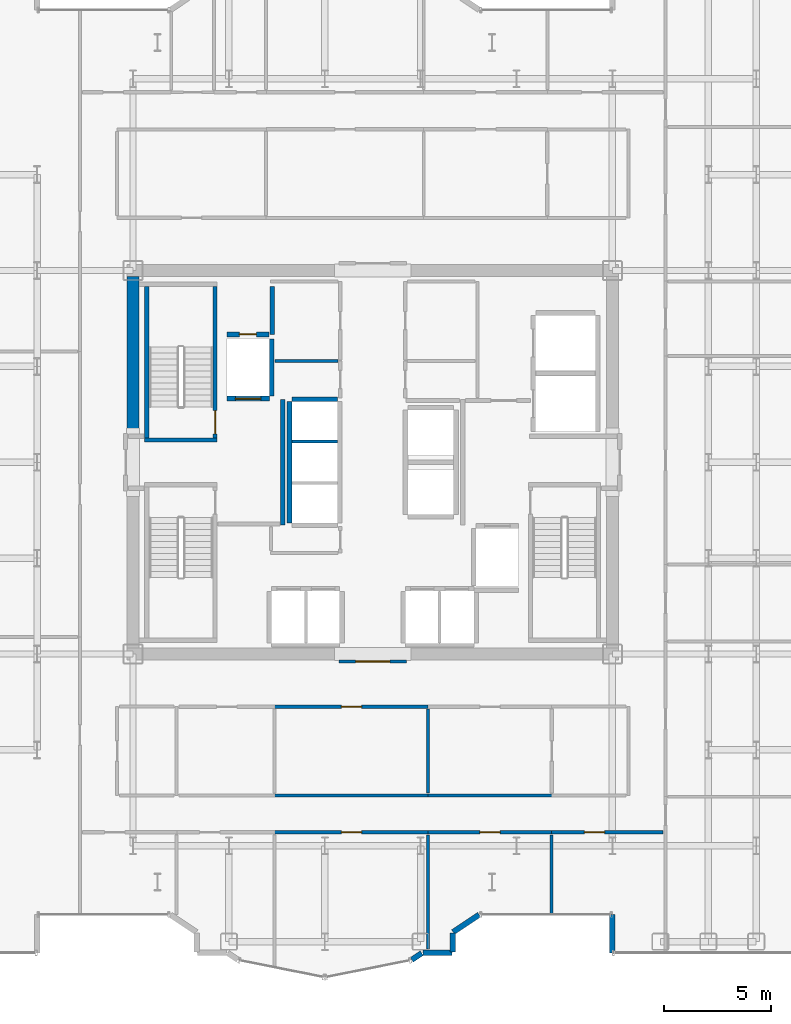
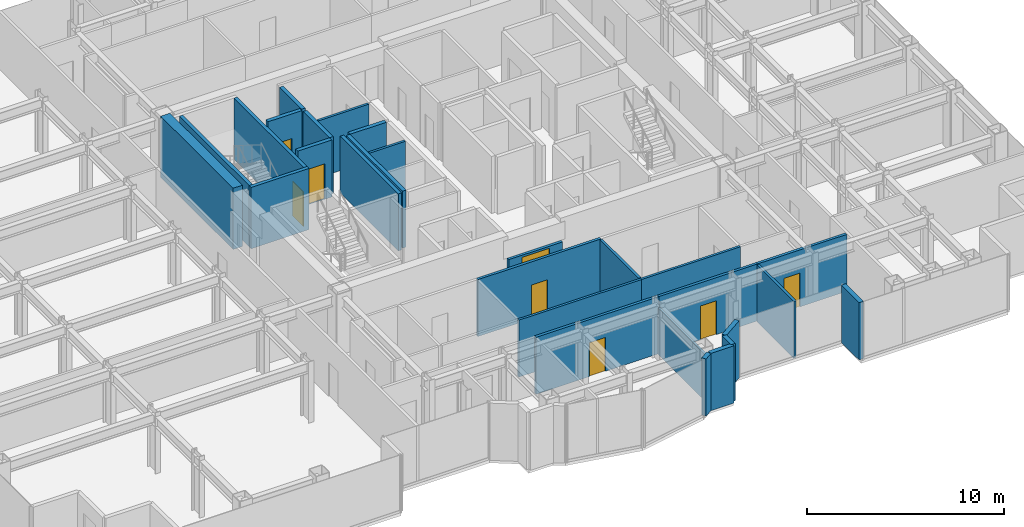
# One storey, part 18 of 23: 28 walls, 8 doors, 8 openings.
"""IFC4 building model written with IfcOpenShell, lengths in metres."""

import ifcopenshell
import ifcopenshell.guid

model = None  # the IFC model being written
_history = None  # IfcOwnerHistory: only IFC2X3 demands one
_inside = {}  # id of a spatial element -> (the spatial element, [elements in it])
_under = {}  # id of a project, library or spatial element -> (it, [spatial elements below it])
_declared = {}  # id of a project -> (the project, [libraries it declares])
_typed = {}  # id of a type object -> (the type object, [elements of that type])
_made_of = {}  # id of a material, layer set ... -> (it, [elements and type objects made of it])


def new_model(schema):
    """Start an empty IFC model of exactly this schema.

    Asked for "IFC4X3", IfcOpenShell would pick the latest addendum, in which some entities
    have other attributes; the version numbers below select the first issue.
    IFC2X3 requires an IfcOwnerHistory on every rooted entity: one is made here for all.
    """
    global model, _history
    if schema == "IFC4X3":
        model = ifcopenshell.file(schema_version=(4, 3, 0, 0))
    else:
        model = ifcopenshell.file(schema=schema)
    _inside.clear()
    _under.clear()
    _declared.clear()
    _typed.clear()
    _made_of.clear()
    _history = None
    if model.schema == "IFC2X3":
        org = make("IfcOrganization", Name="unknown")
        user = make(
            "IfcPersonAndOrganization",
            ThePerson=make("IfcPerson", FamilyName="unknown"),
            TheOrganization=org,
        )
        app = make(
            "IfcApplication",
            ApplicationDeveloper=org,
            Version="unknown",
            ApplicationFullName="unknown",
            ApplicationIdentifier="unknown",
        )
        _history = make(
            "IfcOwnerHistory",
            OwningUser=user,
            OwningApplication=app,
            ChangeAction="ADDED",
            CreationDate=0,
        )
    return model


def make(cls, **values):
    """One entity of the class cls with the attributes given. An attribute that is None is left unset."""
    return model.create_entity(
        cls, **{name: value for name, value in values.items() if value is not None}
    )


def rooted(cls, **values):
    """An entity with a GlobalId (a new one), such as an element, a storey or a relation."""
    return make(cls, GlobalId=ifcopenshell.guid.new(), OwnerHistory=_history, **values)


def si_unit(unit_type, name, prefix=None):
    """IfcSIUnit, for example si_unit("LENGTHUNIT", "METRE", prefix="MILLI")."""
    return make("IfcSIUnit", UnitType=unit_type, Prefix=prefix, Name=name)


def assignment(units):
    """IfcUnitAssignment: the units of a project."""
    return None if units is None else make("IfcUnitAssignment", Units=units)


def point(xyz):
    """IfcCartesianPoint."""
    return None if xyz is None else make("IfcCartesianPoint", Coordinates=xyz)


def direction(xyz):
    """IfcDirection."""
    return None if xyz is None else make("IfcDirection", DirectionRatios=xyz)


def frame(location, z_axis=None, x_axis=None):
    """IfcAxis2Placement3D, a coordinate frame: its origin and axes. An axis left out is left unset."""
    return make(
        "IfcAxis2Placement3D",
        Location=point(location),
        Axis=direction(z_axis),
        RefDirection=direction(x_axis),
    )


def frame_2d(location, x_axis=None):
    """IfcAxis2Placement2D, a coordinate frame in the plane: its origin and x axis."""
    return make(
        "IfcAxis2Placement2D", Location=point(location), RefDirection=direction(x_axis)
    )


def origin():
    """The frame at (0, 0, 0) with its axes left unset."""
    return frame((0.0, 0.0, 0.0))


def place(relative_to, where):
    """IfcLocalPlacement: puts the frame where relative to a parent placement (None: the world)."""
    return make(
        "IfcLocalPlacement", PlacementRelTo=relative_to, RelativePlacement=where
    )


def context(
    kind, dimensions, precision=None, world=None, true_north=None, identifier=None
):
    """IfcGeometricRepresentationContext, for example the 3D "Model" context."""
    return make(
        "IfcGeometricRepresentationContext",
        ContextIdentifier=identifier,
        ContextType=kind,
        CoordinateSpaceDimension=dimensions,
        Precision=precision,
        WorldCoordinateSystem=world,
        TrueNorth=true_north,
    )


def subcontext(parent, identifier, kind, view, scale=None):
    """IfcGeometricRepresentationSubContext, for example "Body" below "Model"."""
    return make(
        "IfcGeometricRepresentationSubContext",
        ContextIdentifier=identifier,
        ContextType=kind,
        ParentContext=parent,
        TargetScale=scale,
        TargetView=view,
    )


def project(units=None, contexts=None):
    """IfcProject with its units and contexts."""
    return rooted(
        "IfcProject",
        Name="project",
        RepresentationContexts=contexts,
        UnitsInContext=assignment(units),
    )


def spatial(cls, under=None, at=None, **own):
    """A site, building, storey or space (cls), placed at a placement, below another one or the project."""
    s = rooted(cls, ObjectPlacement=at, **own)
    if under is not None:
        _under.setdefault(under.id(), (under, []))[1].append(s)
    return s


def profile(cls, at=None, kind="AREA", **sizes):
    """A parametric profile (cls). Its sizes go by their IFC names, for example OverallWidth=200.0."""
    return make(cls, ProfileType=kind, Position=at, **sizes)


def rectangle(**sizes):
    """IfcRectangleProfileDef."""
    return profile("IfcRectangleProfileDef", **sizes)


def extrude(swept, where, along, depth):
    """IfcExtrudedAreaSolid: the profile swept, set in the frame where, extruded along a direction by depth."""
    return make(
        "IfcExtrudedAreaSolid",
        SweptArea=swept,
        Position=where,
        ExtrudedDirection=direction(along),
        Depth=depth,
    )


def shape(context_of_items, identifier, shape_type, items):
    """IfcShapeRepresentation: the items that make up one representation, for example the "Body"."""
    return make(
        "IfcShapeRepresentation",
        ContextOfItems=context_of_items,
        RepresentationIdentifier=identifier,
        RepresentationType=shape_type,
        Items=items,
    )


def source(mapping_origin, context_of_items, identifier, shape_type, items):
    """IfcRepresentationMap: a shape defined once, which mapped items show again and again."""
    return make(
        "IfcRepresentationMap",
        MappingOrigin=mapping_origin,
        MappedRepresentation=shape(context_of_items, identifier, shape_type, items),
    )


def transform(
    local_origin,
    x_axis=None,
    y_axis=None,
    z_axis=None,
    scale=None,
    scale2=None,
    scale3=None,
    uniform=True,
):
    """IfcCartesianTransformationOperator3D, or its non-uniform kind. x_axis, y_axis, z_axis: its Axis1, 2, 3."""
    if uniform:
        return make(
            "IfcCartesianTransformationOperator3D",
            Axis1=direction(x_axis),
            Axis2=direction(y_axis),
            LocalOrigin=point(local_origin),
            Scale=scale,
            Axis3=direction(z_axis),
        )
    return make(
        "IfcCartesianTransformationOperator3DnonUniform",
        Axis1=direction(x_axis),
        Axis2=direction(y_axis),
        LocalOrigin=point(local_origin),
        Scale=scale,
        Axis3=direction(z_axis),
        Scale2=scale2,
        Scale3=scale3,
    )


def mapped(mapping_source, mapping_target):
    """IfcMappedItem: shows the shape of a source again, moved by a transform."""
    return make(
        "IfcMappedItem", MappingSource=mapping_source, MappingTarget=mapping_target
    )


def material(Name=None, Category=None):
    """IfcMaterial."""
    return make("IfcMaterial", Name=Name, Category=Category)


def layer(
    of_material, thickness, ventilated=None, Name=None, Category=None, Priority=None
):
    """IfcMaterialLayer: one layer of a wall or slab, of a material (None: an air gap)."""
    return make(
        "IfcMaterialLayer",
        Material=of_material,
        LayerThickness=thickness,
        IsVentilated=ventilated,
        Name=Name,
        Category=Category,
        Priority=Priority,
    )


def layer_set(layers, Name=None):
    """IfcMaterialLayerSet."""
    return make("IfcMaterialLayerSet", MaterialLayers=layers, LayerSetName=Name)


def made_of(thing, what):
    """Note that an element or type object is made of a material, layer set ...; save() writes the relation."""
    if what is not None:
        _made_of.setdefault(what.id(), (what, []))[1].append(thing)
    return thing


def type_object(cls, material=None, **own):
    """A type object (cls), such as IfcWallType, which elements share."""
    return made_of(rooted(cls, **own), material)


def element(
    cls,
    number,
    at=None,
    inside=None,
    cuts=None,
    type_object=None,
    material=None,
    context=None,
    identifier="Body",
    shape_type=None,
    held_by="IfcProductDefinitionShape",
    body=None,
    shapes=None,
    **own,
):
    """One element of the class cls, such as IfcWall. Its Tag is "e" and its number.

    at: its placement. inside: the storey or other place that contains it. cuts: it is an
    opening in that element (IfcRelVoidsElement). A single representation is given by context,
    identifier, shape_type and body (its items); several are given by shapes. held_by: the class
    of the entity that holds the representations. save() writes the other relations.
    """
    e = rooted(cls, Tag="e%d" % number, ObjectPlacement=at, **own)
    if body is not None:
        shapes = [shape(context, identifier, shape_type, body)]
    if shapes is not None:
        e.Representation = make(held_by, Representations=shapes)
    if inside is not None:
        _inside.setdefault(inside.id(), (inside, []))[1].append(e)
    if cuts is not None:
        rooted(
            "IfcRelVoidsElement", RelatingBuildingElement=cuts, RelatedOpeningElement=e
        )
    if type_object is not None:
        _typed.setdefault(type_object.id(), (type_object, []))[1].append(e)
    return made_of(e, material)


def fill(opening, filler):
    """IfcRelFillsElement: the door or window that sits in an opening."""
    return rooted(
        "IfcRelFillsElement",
        RelatingOpeningElement=opening,
        RelatedBuildingElement=filler,
    )


def aggregate(whole, parts):
    """IfcRelAggregates: a whole, such as a stair, and the parts it consists of."""
    return rooted("IfcRelAggregates", RelatingObject=whole, RelatedObjects=parts)


def save(model, path):
    """Write the relations noted so far, then the file.

    IfcRelAggregates (storeys below a building ...), IfcRelContainedInSpatialStructure (elements
    in a storey), IfcRelDefinesByType, IfcRelAssociatesMaterial and IfcRelDeclares: one each for
    every whole, place, type object, material and project.
    """
    for whole, parts in _under.values():
        aggregate(whole, parts)
    for where, things in _inside.values():
        rooted(
            "IfcRelContainedInSpatialStructure",
            RelatedElements=things,
            RelatingStructure=where,
        )
    for kind, things in _typed.values():
        rooted("IfcRelDefinesByType", RelatedObjects=things, RelatingType=kind)
    for what, things in _made_of.values():
        rooted("IfcRelAssociatesMaterial", RelatedObjects=things, RelatingMaterial=what)
    for by, libraries in _declared.values():
        rooted("IfcRelDeclares", RelatingContext=by, RelatedDefinitions=libraries)
    model.write(path)


model = new_model("IFC4")

# Units and contexts
model_context = context("Model", 3, precision=1e-05, world=origin(), true_north=direction((0.0, 1.0)))
body_context = subcontext(model_context, "Body", "Model", "MODEL_VIEW")
ifc_project = project(units=[si_unit("LENGTHUNIT", "METRE"), si_unit("AREAUNIT", "SQUARE_METRE"), si_unit("VOLUMEUNIT", "CUBIC_METRE"), si_unit("PLANEANGLEUNIT", "RADIAN"), si_unit("MASSUNIT", "GRAM", prefix="KILO")], contexts=[model_context])

# Site, building, storey
site_placement = place(None, origin())
site = spatial("IfcSite", under=ifc_project, at=site_placement, CompositionType="ELEMENT")
building_placement = place(site_placement, origin())
building = spatial("IfcBuilding", under=site, at=building_placement, Name="Nefas-Gora Pilgrimage Tower", CompositionType="ELEMENT")
storey_placement = place(building_placement, frame((0.0, 0.0, 152.60009765625)))
storey = spatial("IfcBuildingStorey", under=building, at=storey_placement, Name="L37", CompositionType="ELEMENT", Elevation=152.60009765625)

# Walls
ifc_material_1 = material(Name="Concrete C60/75", Category="concrete")
ifc_layer_1 = layer(ifc_material_1, 0.550048828125)
ifc_layer_set_1 = layer_set([ifc_layer_1], Name="Concrete C60/75")
wall_type_1 = type_object("IfcWallType", Name="SW-CORE-550", PredefinedType="SHEAR", material=ifc_layer_set_1)
shared_shape_1 = source(origin(), body_context, "Body", "SweptSolid", [
    extrude(rectangle(XDim=7.375, YDim=0.550048828125, at=frame_2d((3.6875, 0.0))), origin(), (0.0, 0.0, 1.0), 3.7998046875),
])
wall_1_placement = place(storey_placement, frame((-11.25, 1.35009765625, 0.0), z_axis=(0.0, 0.0, 1.0), x_axis=(0.0, 1.0, 0.0)))
element("IfcWall", 1, at=wall_1_placement, inside=storey, type_object=wall_type_1, Name="L37 Core Shear Wall W-North", PredefinedType="SHEAR", context=body_context, shape_type="MappedRepresentation", body=[
    mapped(shared_shape_1, transform((0.0, 0.0, 0.0), x_axis=(1.0, 0.0, 0.0), y_axis=(0.0, 1.0, 0.0), z_axis=(0.0, 0.0, 1.0), scale=1.0)),
])
ifc_material_2 = material(Name="Precast concrete C40/50", Category="concrete")
ifc_layer_2 = layer(ifc_material_2, 0.260009765625)
ifc_layer_set_2 = layer_set([ifc_layer_2], Name="Precast concrete C40/50")
wall_type_2 = type_object("IfcWallType", Name="EW-PORTAL-260", PredefinedType="SOLIDWALL", material=ifc_layer_set_2)
shared_shape_2 = source(origin(), body_context, "Body", "SweptSolid", [
    extrude(rectangle(XDim=1.800048828125, YDim=0.260009765625, at=frame_2d((0.89990234375, 0.0))), origin(), (0.0, 0.0, 1.0), 3.5498046875),
])
wall_2_placement = place(storey_placement, frame((11.25, -21.219970703125, 0.0), z_axis=(0.0, 0.0, 1.0), x_axis=(0.0, -1.0, 0.0)))
element("IfcWall", 2, at=wall_2_placement, inside=storey, type_object=wall_type_2, Name="L37 Lobe Shoulder Precast Spandrel Pier 1", PredefinedType="SOLIDWALL", context=body_context, shape_type="MappedRepresentation", body=[
    mapped(shared_shape_2, transform((0.0, 0.0, 0.0), x_axis=(1.0, 0.0, 0.0), y_axis=(0.0, 1.0, 0.0), z_axis=(0.0, 0.0, 1.0), scale=1.0)),
])
shared_shape_3 = source(origin(), body_context, "Body", "SweptSolid", [
    extrude(rectangle(XDim=1.468994140625, YDim=0.260009765625, at=frame_2d((0.734375, 0.0))), origin(), (0.0, 0.0, 1.0), 3.5498046875),
])
wall_3_placement = place(storey_placement, frame((3.773193359375, -22.0517578125, 0.0), z_axis=(0.0, 0.0, 1.0), x_axis=(0.831461760506, 0.555581983884, 0.0)))
element("IfcWall", 3, at=wall_3_placement, inside=storey, type_object=wall_type_2, Name="L37 Lobe Shoulder Precast Spandrel Pier 36", PredefinedType="SOLIDWALL", context=body_context, shape_type="MappedRepresentation", body=[
    mapped(shared_shape_3, transform((0.0, 0.0, 0.0), x_axis=(1.0, 0.0, 0.0), y_axis=(0.0, 1.0, 0.0), z_axis=(0.0, 0.0, 1.0), scale=1.0)),
])
shared_shape_4 = source(origin(), body_context, "Body", "SweptSolid", [
    extrude(rectangle(XDim=0.896728515625, YDim=0.260009765625, at=frame_2d((0.4482421875, 0.0))), origin(), (0.0, 0.0, 1.0), 3.5498046875),
])
wall_4_placement = place(storey_placement, frame((3.75, -22.991943359375, 0.0), z_axis=(0.0, 0.0, 1.0), x_axis=(0.0, 1.0, 0.0)))
element("IfcWall", 4, at=wall_4_placement, inside=storey, type_object=wall_type_2, Name="L37 Lobe Shoulder Precast Spandrel Pier 35", PredefinedType="SOLIDWALL", context=body_context, shape_type="MappedRepresentation", body=[
    mapped(shared_shape_4, transform((0.0, 0.0, 0.0), x_axis=(1.0, 0.0, 0.0), y_axis=(0.0, 1.0, 0.0), z_axis=(0.0, 0.0, 1.0), scale=1.0)),
])
shared_shape_5 = source(origin(), body_context, "Body", "SweptSolid", [
    extrude(rectangle(XDim=1.369873046875, YDim=0.260009765625, at=frame_2d((0.68505859375, 0.0))), origin(), (0.0, 0.0, 1.0), 3.5498046875),
])
wall_5_placement = place(storey_placement, frame((2.35205078125, -23.02001953125, 0.0), z_axis=(0.0, 0.0, 1.0), x_axis=(1.0, 0.0, 0.0)))
element("IfcWall", 5, at=wall_5_placement, inside=storey, type_object=wall_type_2, Name="L37 Lobe Shoulder Precast Spandrel Pier 34", PredefinedType="SOLIDWALL", context=body_context, shape_type="MappedRepresentation", body=[
    mapped(shared_shape_5, transform((0.0, 0.0, 0.0), x_axis=(1.0, 0.0, 0.0), y_axis=(0.0, 1.0, 0.0), z_axis=(0.0, 0.0, 1.0), scale=1.0)),
])
shared_shape_6 = source(origin(), body_context, "Body", "SweptSolid", [
    extrude(rectangle(XDim=0.5654296875, YDim=0.260009765625, at=frame_2d((0.28271484375, 0.0))), origin(), (0.0, 0.0, 1.0), 3.5498046875),
])
wall_6_placement = place(storey_placement, frame((1.83056640625, -23.349609375, 0.0), z_axis=(0.0, 0.0, 1.0), x_axis=(0.831651492666, 0.555297933317, 0.0)))
element("IfcWall", 6, at=wall_6_placement, inside=storey, type_object=wall_type_2, Name="L37 Lobe Shoulder Precast Spandrel Pier 33", PredefinedType="SOLIDWALL", context=body_context, shape_type="MappedRepresentation", body=[
    mapped(shared_shape_6, transform((0.0, 0.0, 0.0), x_axis=(1.0, 0.0, 0.0), y_axis=(0.0, 1.0, 0.0), z_axis=(0.0, 0.0, 1.0), scale=1.0)),
])
ifc_material_3 = material(Name="Concrete C45/55", Category="concrete")
ifc_layer_3 = layer(ifc_material_3, 0.199951171875)
ifc_layer_set_3 = layer_set([ifc_layer_3], Name="Concrete C45/55")
wall_type_3 = type_object("IfcWallType", Name="IW-STAIR-200", PredefinedType="SOLIDWALL", material=ifc_layer_set_3)
shared_shape_7 = source(origin(), body_context, "Body", "SweptSolid", [
    extrude(rectangle(XDim=3.39990234375, YDim=0.199951171875, at=frame_2d((1.699951171875, 0.0))), origin(), (0.0, 0.0, 1.0), 3.7998046875),
])
wall_7_placement = place(storey_placement, frame((-7.300048828125, 1.050048828125, 0.0), z_axis=(0.0, 0.0, 1.0), x_axis=(-1.0, 0.0, 0.0)))
element("IfcWall", 7, at=wall_7_placement, inside=storey, type_object=wall_type_3, Name="L37 Stairwell Shear Wall ST-01-near", PredefinedType="SOLIDWALL", context=body_context, shape_type="MappedRepresentation", body=[
    mapped(shared_shape_7, transform((0.0, 0.0, 0.0), x_axis=(1.0, 0.0, 0.0), y_axis=(0.0, 1.0, 0.0), z_axis=(0.0, 0.0, 1.0), scale=1.0)),
])

# Wall, opening, door
shared_shape_8 = source(origin(), body_context, "Body", "SweptSolid", [
    extrude(rectangle(XDim=7.10009765625, YDim=0.199951171875, at=frame_2d((3.550048828125, 0.0))), origin(), (0.0, 0.0, 1.0), 3.7998046875),
])
wall_8_placement = place(storey_placement, frame((-7.39990234375, 1.14990234375, 0.0), z_axis=(0.0, 0.0, 1.0), x_axis=(0.0, 1.0, 0.0)))
wall_8 = element("IfcWall", 8, at=wall_8_placement, inside=storey, type_object=wall_type_3, Name="L37 Stairwell Shear Wall ST-01-left", PredefinedType="SOLIDWALL", context=body_context, shape_type="MappedRepresentation", body=[
    mapped(shared_shape_8, transform((0.0, 0.0, 0.0), x_axis=(1.0, 0.0, 0.0), y_axis=(0.0, 1.0, 0.0), z_axis=(0.0, 0.0, 1.0), scale=1.0)),
])
opening_1_placement = place(wall_8_placement, frame((0.179931640625, 0.0, 0.0)))
opening_1 = element("IfcOpeningElement", 9, at=opening_1_placement, cuts=wall_8, Name="Opening ID-ST1", PredefinedType="OPENING", context=body_context, shape_type="SweptSolid", body=[
    extrude(rectangle(XDim=1.10009765625, YDim=2.14990234375, at=frame_2d((0.550048828125, 1.074951171875))), frame((0.0, 0.10986328125, 0.0), z_axis=(0.0, -1.0, 0.0), x_axis=(1.0, 0.0, 0.0)), (0.0, 0.0, 1.0), 0.219970703125),
])
ifc_material_4 = material(Name="Painted galvanised steel fire stair door", Category="steel")
door_type_1 = type_object("IfcDoorType", Name="DR-INT-STAIR-1100", OperationType="NOTDEFINED", PredefinedType="DOOR", material=ifc_material_4)
shared_shape_9 = source(origin(), body_context, "Body", "SweptSolid", [
    extrude(rectangle(XDim=1.10009765625, YDim=2.14990234375, at=frame_2d((0.550048828125, 1.074951171875))), frame((0.0, 0.02490234375, 0.0), z_axis=(0.0, -1.0, 0.0), x_axis=(1.0, 0.0, 0.0)), (0.0, 0.0, 1.0), 0.050048828125),
])
door_1_placement = place(opening_1_placement, origin())
door_1 = element("IfcDoor", 10, at=door_1_placement, inside=storey, type_object=door_type_1, Name="L37 Protected Exit Stair Door ST-01", OperationType="SINGLE_SWING_LEFT", OverallHeight=2.14990234375, OverallWidth=1.10009765625, PredefinedType="DOOR", context=body_context, shape_type="MappedRepresentation", body=[
    mapped(shared_shape_9, transform((0.0, 0.0, 0.0), x_axis=(1.0, 0.0, 0.0), y_axis=(0.0, 1.0, 0.0), z_axis=(0.0, 0.0, 1.0), scale=1.0)),
])
fill(opening_1, door_1)

# Wall
wall_9_placement = place(storey_placement, frame((-10.60009765625, 1.14990234375, 0.0), z_axis=(0.0, 0.0, 1.0), x_axis=(0.0, 1.0, 0.0)))
element("IfcWall", 11, at=wall_9_placement, inside=storey, type_object=wall_type_3, Name="L37 Stairwell Shear Wall ST-01-right", PredefinedType="SOLIDWALL", context=body_context, shape_type="MappedRepresentation", body=[
    mapped(shared_shape_8, transform((0.0, 0.0, 0.0), x_axis=(1.0, 0.0, 0.0), y_axis=(0.0, 1.0, 0.0), z_axis=(0.0, 0.0, 1.0), scale=1.0)),
])

# Wall, opening, door
ifc_material_5 = material(Name="Concrete C40/50", Category="concrete")
ifc_layer_4 = layer(ifc_material_5, 0.219970703125)
ifc_layer_set_4 = layer_set([ifc_layer_4], Name="Concrete C40/50")
wall_type_4 = type_object("IfcWallType", Name="IW-SHAFT-220", PredefinedType="SOLIDWALL", material=ifc_layer_set_4)
shared_shape_10 = source(origin(), body_context, "Body", "SweptSolid", [
    extrude(rectangle(XDim=2.0, YDim=0.219970703125, at=frame_2d((1.0, 0.0))), origin(), (0.0, 0.0, 1.0), 3.534912109375),
])
wall_10_placement = place(storey_placement, frame((-6.85009765625, 2.989990234375, 0.0), z_axis=(0.0, 0.0, 1.0), x_axis=(1.0, 0.0, 0.0)))
wall_10 = element("IfcWall", 12, at=wall_10_placement, inside=storey, type_object=wall_type_4, Name="L37 Hoistway Wall FFL-01-S", PredefinedType="SOLIDWALL", context=body_context, shape_type="MappedRepresentation", body=[
    mapped(shared_shape_10, transform((0.0, 0.0, 0.0), x_axis=(1.0, 0.0, 0.0), y_axis=(0.0, 1.0, 0.0), z_axis=(0.0, 0.0, 1.0), scale=1.0)),
])
opening_2_placement = place(wall_10_placement, frame((0.39990234375, 0.0, 0.0)))
opening_2 = element("IfcOpeningElement", 13, at=opening_2_placement, cuts=wall_10, Name="Opening LD-FF", PredefinedType="OPENING", context=body_context, shape_type="SweptSolid", body=[
    extrude(rectangle(XDim=1.199951171875, YDim=2.199951171875, at=frame_2d((0.60009765625, 1.10009765625))), frame((0.0, 0.119873046875, 0.0), z_axis=(0.0, -1.0, 0.0), x_axis=(1.0, 0.0, 0.0)), (0.0, 0.0, 1.0), 0.239990234375),
])
ifc_material_6 = material(Name="Fire-service sliding lift landing door")
door_type_2 = type_object("IfcDoorType", Name="DR-LIFT-FSAE-1200", OperationType="SLIDING_TO_LEFT", PredefinedType="DOOR", material=ifc_material_6)
shared_shape_11 = source(origin(), body_context, "Body", "SweptSolid", [
    extrude(rectangle(XDim=1.199951171875, YDim=2.199951171875, at=frame_2d((0.60009765625, 1.10009765625))), frame((0.0, 0.02490234375, 0.0), z_axis=(0.0, -1.0, 0.0), x_axis=(1.0, 0.0, 0.0)), (0.0, 0.0, 1.0), 0.050048828125),
])
door_2_placement = place(opening_2_placement, origin())
door_2 = element("IfcDoor", 14, at=door_2_placement, inside=storey, type_object=door_type_2, Name="L37 Sliding Lift Landing Door FFL-01", OperationType="SLIDING_TO_LEFT", OverallHeight=2.199951171875, OverallWidth=1.199951171875, PredefinedType="DOOR", context=body_context, shape_type="MappedRepresentation", body=[
    mapped(shared_shape_11, transform((0.0, 0.0, 0.0), x_axis=(1.0, 0.0, 0.0), y_axis=(0.0, 1.0, 0.0), z_axis=(0.0, 0.0, 1.0), scale=1.0)),
])
fill(opening_2, door_2)

# Walls
shared_shape_12 = source(origin(), body_context, "Body", "SweptSolid", [
    extrude(rectangle(XDim=2.679931640625, YDim=0.219970703125, at=frame_2d((1.33984375, 0.0))), origin(), (0.0, 0.0, 1.0), 3.534912109375),
])
wall_11_placement = place(storey_placement, frame((-4.739990234375, 3.110107421875, 0.0), z_axis=(0.0, 0.0, 1.0), x_axis=(0.0, 1.0, 0.0)))
element("IfcWall", 15, at=wall_11_placement, inside=storey, type_object=wall_type_4, Name="L37 Hoistway Wall FFL-01-E", PredefinedType="SOLIDWALL", context=body_context, shape_type="MappedRepresentation", body=[
    mapped(shared_shape_12, transform((0.0, 0.0, 0.0), x_axis=(1.0, 0.0, 0.0), y_axis=(0.0, 1.0, 0.0), z_axis=(0.0, 0.0, 1.0), scale=1.0)),
])
shared_shape_13 = source(origin(), body_context, "Body", "SweptSolid", [
    extrude(rectangle(XDim=5.7001953125, YDim=0.219970703125, at=frame_2d((2.85009765625, 0.0))), origin(), (0.0, 0.0, 1.0), 3.534912109375),
])
wall_12_placement = place(storey_placement, frame((-3.909912109375, 2.85009765625, 0.0), z_axis=(0.0, 0.0, 1.0), x_axis=(0.0, -1.0, 0.0)))
element("IfcWall", 16, at=wall_12_placement, inside=storey, type_object=wall_type_4, Name="L37 Hoistway Wall PL3-01-03-W", PredefinedType="SOLIDWALL", context=body_context, shape_type="MappedRepresentation", body=[
    mapped(shared_shape_13, transform((0.0, 0.0, 0.0), x_axis=(1.0, 0.0, 0.0), y_axis=(0.0, 1.0, 0.0), z_axis=(0.0, 0.0, 1.0), scale=1.0)),
])
shared_shape_14 = source(origin(), body_context, "Body", "SweptSolid", [
    extrude(rectangle(XDim=2.130126953125, YDim=0.219970703125, at=frame_2d((1.06494140625, 0.0))), origin(), (0.0, 0.0, 1.0), 3.534912109375),
])
wall_13_placement = place(storey_placement, frame((-1.659912109375, 2.9599609375, 0.0), z_axis=(0.0, 0.0, 1.0), x_axis=(-1.0, 0.0, 0.0)))
element("IfcWall", 17, at=wall_13_placement, inside=storey, type_object=wall_type_4, Name="L37 Hoistway Wall PL3-03-N", PredefinedType="SOLIDWALL", context=body_context, shape_type="MappedRepresentation", body=[
    mapped(shared_shape_14, transform((0.0, 0.0, 0.0), x_axis=(1.0, 0.0, 0.0), y_axis=(0.0, 1.0, 0.0), z_axis=(0.0, 0.0, 1.0), scale=1.0)),
])
ifc_material_7 = material(Name="Gypsum twin-stud partition")
ifc_layer_5 = layer(ifc_material_7, 0.139892578125)
ifc_layer_set_5 = layer_set([ifc_layer_5], Name="Gypsum twin-stud partition")
wall_type_5 = type_object("IfcWallType", Name="IW-UNIT-140", PredefinedType="PARTITIONING", material=ifc_layer_set_5)
shared_shape_15 = source(origin(), body_context, "Body", "SweptSolid", [
    extrude(rectangle(XDim=2.130126953125, YDim=0.139892578125, at=frame_2d((1.06494140625, 0.0))), origin(), (0.0, 0.0, 1.0), 3.534912109375),
])
wall_14_placement = place(storey_placement, frame((-3.7900390625, 0.97509765625, 0.0), z_axis=(0.0, 0.0, 1.0), x_axis=(1.0, 0.0, 0.0)))
element("IfcWall", 18, at=wall_14_placement, inside=storey, type_object=wall_type_5, Name="L37 Hoistway Wall PL3-02-03-DIV", PredefinedType="PARTITIONING", context=body_context, shape_type="MappedRepresentation", body=[
    mapped(shared_shape_15, transform((0.0, 0.0, 0.0), x_axis=(1.0, 0.0, 0.0), y_axis=(0.0, 1.0, 0.0), z_axis=(0.0, 0.0, 1.0), scale=1.0)),
])
ifc_material_8 = material(Name="Gypsum fire-rated shaftwall")
ifc_layer_6 = layer(ifc_material_8, 0.199951171875)
ifc_layer_set_6 = layer_set([ifc_layer_6], Name="Gypsum fire-rated shaftwall")
wall_type_6 = type_object("IfcWallType", Name="IW-FFLOB-200", PredefinedType="PARTITIONING", material=ifc_layer_set_6)
shared_shape_16 = source(origin(), body_context, "Body", "SweptSolid", [
    extrude(rectangle(XDim=5.89990234375, YDim=0.199951171875, at=frame_2d((2.949951171875, 0.0))), origin(), (0.0, 0.0, 1.0), 3.534912109375),
])
wall_15_placement = place(storey_placement, frame((-4.219970703125, -2.949951171875, 0.0), z_axis=(0.0, 0.0, 1.0), x_axis=(0.0, 1.0, 0.0)))
element("IfcWall", 19, at=wall_15_placement, inside=storey, type_object=wall_type_6, Name="L37 FF Lobby West Inner Wall Wall 5", PredefinedType="PARTITIONING", context=body_context, shape_type="MappedRepresentation", body=[
    mapped(shared_shape_16, transform((0.0, 0.0, 0.0), x_axis=(1.0, 0.0, 0.0), y_axis=(0.0, 1.0, 0.0), z_axis=(0.0, 0.0, 1.0), scale=1.0)),
])
shared_shape_17 = source(origin(), body_context, "Body", "SweptSolid", [
    extrude(rectangle(XDim=2.9501953125, YDim=0.139892578125, at=frame_2d((1.47509765625, 0.0))), origin(), (0.0, 0.0, 1.0), 3.534912109375),
])
wall_16_placement = place(storey_placement, frame((-4.590087890625, 4.75, 0.0), z_axis=(0.0, 0.0, 1.0), x_axis=(1.0, 0.0, 0.0)))
element("IfcWall", 20, at=wall_16_placement, inside=storey, type_object=wall_type_5, Name="L37 Housekeeping and Linen Store Partition Wall 19", PredefinedType="PARTITIONING", context=body_context, shape_type="MappedRepresentation", body=[
    mapped(shared_shape_17, transform((0.0, 0.0, 0.0), x_axis=(1.0, 0.0, 0.0), y_axis=(0.0, 1.0, 0.0), z_axis=(0.0, 0.0, 1.0), scale=1.0)),
])

# Wall, opening, door
ifc_material_9 = material(Name="Gypsum acoustic stud partition")
ifc_layer_7 = layer(ifc_material_9, 0.159912109375)
ifc_layer_set_7 = layer_set([ifc_layer_7], Name="Gypsum acoustic stud partition")
wall_type_7 = type_object("IfcWallType", Name="IW-CORR-160", PredefinedType="PARTITIONING", material=ifc_layer_set_7)
shared_shape_18 = source(origin(), body_context, "Body", "SweptSolid", [
    extrude(rectangle(XDim=5.81005859375, YDim=0.159912109375, at=frame_2d((2.905029296875, 0.0))), origin(), (0.0, 0.0, 1.0), 3.534912109375),
])
wall_17_placement = place(storey_placement, frame((2.594970703125, -17.3701171875, 0.0), z_axis=(0.0, 0.0, 1.0), x_axis=(1.0, 0.0, 0.0)))
wall_17 = element("IfcWall", 21, at=wall_17_placement, inside=storey, type_object=wall_type_7, Name="L37 Pilgrim Contemplative Lounge Partition Wall 87", PredefinedType="PARTITIONING", context=body_context, shape_type="MappedRepresentation", body=[
    mapped(shared_shape_18, transform((0.0, 0.0, 0.0), x_axis=(1.0, 0.0, 0.0), y_axis=(0.0, 1.0, 0.0), z_axis=(0.0, 0.0, 1.0), scale=1.0)),
])
opening_3_placement = place(wall_17_placement, frame((2.429931640625, 0.0, 0.0)))
opening_3 = element("IfcOpeningElement", 22, at=opening_3_placement, cuts=wall_17, Name="Opening ID-GR1", PredefinedType="OPENING", context=body_context, shape_type="SweptSolid", body=[
    extrude(rectangle(XDim=0.949951171875, YDim=2.10009765625, at=frame_2d((0.47509765625, 1.050048828125))), frame((0.0, 0.08984375, 0.0), z_axis=(0.0, -1.0, 0.0), x_axis=(1.0, 0.0, 0.0)), (0.0, 0.0, 1.0), 0.179931640625),
])
ifc_material_10 = material(Name="Solid core oak fire-rated guest entrance door")
door_type_3 = type_object("IfcDoorType", Name="DR-INT-GUEST-950", OperationType="NOTDEFINED", PredefinedType="DOOR", material=ifc_material_10)
shared_shape_19 = source(origin(), body_context, "Body", "SweptSolid", [
    extrude(rectangle(XDim=0.949951171875, YDim=2.10009765625, at=frame_2d((0.47509765625, 1.050048828125))), frame((0.0, 0.02490234375, 0.0), z_axis=(0.0, -1.0, 0.0), x_axis=(1.0, 0.0, 0.0)), (0.0, 0.0, 1.0), 0.050048828125),
])
door_3_placement = place(opening_3_placement, origin())
door_3 = element("IfcDoor", 23, at=door_3_placement, inside=storey, type_object=door_type_3, Name="L37 Pilgrim Contemplative Lounge Door 38", OperationType="SINGLE_SWING_LEFT", OverallHeight=2.10009765625, OverallWidth=0.949951171875, PredefinedType="DOOR", context=body_context, shape_type="MappedRepresentation", body=[
    mapped(shared_shape_19, transform((0.0, 0.0, 0.0), x_axis=(1.0, 0.0, 0.0), y_axis=(0.0, 1.0, 0.0), z_axis=(0.0, 0.0, 1.0), scale=1.0)),
])
fill(opening_3, door_3)

shared_shape_20 = source(origin(), body_context, "Body", "SweptSolid", [
    extrude(rectangle(XDim=5.22509765625, YDim=0.159912109375, at=frame_2d((2.612548828125, 0.0))), origin(), (0.0, 0.0, 1.0), 3.534912109375),
])
wall_18_placement = place(storey_placement, frame((8.39501953125, -17.3701171875, 0.0), z_axis=(0.0, 0.0, 1.0), x_axis=(1.0, 0.0, 0.0)))
wall_18 = element("IfcWall", 24, at=wall_18_placement, inside=storey, type_object=wall_type_7, Name="L37 Pilgrim Contemplative Lounge Partition Wall 92", PredefinedType="PARTITIONING", context=body_context, shape_type="MappedRepresentation", body=[
    mapped(shared_shape_20, transform((0.0, 0.0, 0.0), x_axis=(1.0, 0.0, 0.0), y_axis=(0.0, 1.0, 0.0), z_axis=(0.0, 0.0, 1.0), scale=1.0)),
])
opening_4_placement = place(wall_18_placement, frame((1.543212890625, 0.0, 0.0)))
opening_4 = element("IfcOpeningElement", 25, at=opening_4_placement, cuts=wall_18, Name="Opening ID-GR1", PredefinedType="OPENING", context=body_context, shape_type="SweptSolid", body=[
    extrude(rectangle(XDim=0.949951171875, YDim=2.10009765625, at=frame_2d((0.47509765625, 1.050048828125))), frame((0.0, 0.08984375, 0.0), z_axis=(0.0, -1.0, 0.0), x_axis=(1.0, 0.0, 0.0)), (0.0, 0.0, 1.0), 0.179931640625),
])
door_4_placement = place(opening_4_placement, origin())
door_4 = element("IfcDoor", 26, at=door_4_placement, inside=storey, type_object=door_type_3, Name="L37 Pilgrim Contemplative Lounge Door 41", OperationType="SINGLE_SWING_RIGHT", OverallHeight=2.10009765625, OverallWidth=0.949951171875, PredefinedType="DOOR", context=body_context, shape_type="MappedRepresentation", body=[
    mapped(shared_shape_19, transform((0.0, 0.0, 0.0), x_axis=(1.0, 0.0, 0.0), y_axis=(0.0, 1.0, 0.0), z_axis=(0.0, 0.0, 1.0), scale=1.0)),
])
fill(opening_4, door_4)

shared_shape_21 = source(origin(), body_context, "Body", "SweptSolid", [
    extrude(rectangle(XDim=3.16015625, YDim=0.159912109375, at=frame_2d((1.580078125, 0.0))), origin(), (0.0, 0.0, 1.0), 2.4248046875),
])
wall_19_placement = place(storey_placement, frame((-1.580078125, -9.35009765625, 0.0), z_axis=(0.0, 0.0, 1.0), x_axis=(1.0, 0.0, 0.0)))
wall_19 = element("IfcWall", 27, at=wall_19_placement, inside=storey, type_object=wall_type_7, Name="L37 Central Lift Lobby South Portal Wall 16", PredefinedType="PARTITIONING", context=body_context, shape_type="MappedRepresentation", body=[
    mapped(shared_shape_21, transform((0.0, 0.0, 0.0), x_axis=(1.0, 0.0, 0.0), y_axis=(0.0, 1.0, 0.0), z_axis=(0.0, 0.0, 1.0), scale=1.0)),
])
opening_5_placement = place(wall_19_placement, frame((0.780029296875, 0.0, 0.0)))
opening_5 = element("IfcOpeningElement", 28, at=opening_5_placement, cuts=wall_19, Name="Opening ID-HL1", PredefinedType="OPENING", context=body_context, shape_type="SweptSolid", body=[
    extrude(rectangle(XDim=1.60009765625, YDim=2.300048828125, at=frame_2d((0.800048828125, 1.14990234375))), frame((0.0, 0.08984375, 0.0), z_axis=(0.0, -1.0, 0.0), x_axis=(1.0, 0.0, 0.0)), (0.0, 0.0, 1.0), 0.179931640625),
])
ifc_material_11 = material(Name="Double acoustic timber assembly hall door", Category="wood")
door_type_4 = type_object("IfcDoorType", Name="DR-INT-HALL-1600", OperationType="DOUBLE_DOOR_SINGLE_SWING", PredefinedType="DOOR", material=ifc_material_11)
shared_shape_22 = source(origin(), body_context, "Body", "SweptSolid", [
    extrude(rectangle(XDim=1.60009765625, YDim=2.300048828125, at=frame_2d((0.800048828125, 1.14990234375))), frame((0.0, 0.02490234375, 0.0), z_axis=(0.0, -1.0, 0.0), x_axis=(1.0, 0.0, 0.0)), (0.0, 0.0, 1.0), 0.050048828125),
])
door_5_placement = place(opening_5_placement, origin())
door_5 = element("IfcDoor", 29, at=door_5_placement, inside=storey, type_object=door_type_4, Name="L37 Central Lift Lobby South Portal Door 6", OperationType="DOUBLE_DOOR_SINGLE_SWING", OverallHeight=2.300048828125, OverallWidth=1.60009765625, PredefinedType="DOOR", context=body_context, shape_type="MappedRepresentation", body=[
    mapped(shared_shape_22, transform((0.0, 0.0, 0.0), x_axis=(1.0, 0.0, 0.0), y_axis=(0.0, 1.0, 0.0), z_axis=(0.0, 0.0, 1.0), scale=1.0)),
])
fill(opening_5, door_5)

# Walls
shared_shape_23 = source(origin(), body_context, "Body", "SweptSolid", [
    extrude(rectangle(XDim=3.929931640625, YDim=0.139892578125, at=frame_2d((1.96484375, 0.0))), origin(), (0.0, 0.0, 1.0), 3.534912109375),
])
wall_20_placement = place(storey_placement, frame((2.594970703125, -15.52001953125, 0.0), z_axis=(0.0, 0.0, 1.0), x_axis=(0.0, 1.0, 0.0)))
element("IfcWall", 30, at=wall_20_placement, inside=storey, type_object=wall_type_5, Name="L37 Pilgrim Contemplative Lounge Partition Wall 86", PredefinedType="PARTITIONING", context=body_context, shape_type="MappedRepresentation", body=[
    mapped(shared_shape_23, transform((0.0, 0.0, 0.0), x_axis=(1.0, 0.0, 0.0), y_axis=(0.0, 1.0, 0.0), z_axis=(0.0, 0.0, 1.0), scale=1.0)),
])
shared_shape_24 = source(origin(), body_context, "Body", "SweptSolid", [
    extrude(rectangle(XDim=5.360107421875, YDim=0.139892578125, at=frame_2d((2.68017578125, 0.0))), origin(), (0.0, 0.0, 1.0), 2.875),
])
wall_21_placement = place(storey_placement, frame((2.594970703125, -22.85009765625, 0.0), z_axis=(0.0, 0.0, 1.0), x_axis=(0.0, 1.0, 0.0)))
element("IfcWall", 31, at=wall_21_placement, inside=storey, type_object=wall_type_5, Name="L37 Pilgrim Contemplative Lounge Partition Wall 83", PredefinedType="PARTITIONING", context=body_context, shape_type="MappedRepresentation", body=[
    mapped(shared_shape_24, transform((0.0, 0.0, 0.0), x_axis=(1.0, 0.0, 0.0), y_axis=(0.0, 1.0, 0.0), z_axis=(0.0, 0.0, 1.0), scale=1.0)),
])
shared_shape_25 = source(origin(), body_context, "Body", "SweptSolid", [
    extrude(rectangle(XDim=3.75, YDim=0.139892578125, at=frame_2d((1.875, 0.0))), origin(), (0.0, 0.0, 1.0), 3.534912109375),
])
wall_22_placement = place(storey_placement, frame((8.39501953125, -21.239990234375, 0.0), z_axis=(0.0, 0.0, 1.0), x_axis=(0.0, 1.0, 0.0)))
element("IfcWall", 32, at=wall_22_placement, inside=storey, type_object=wall_type_5, Name="L37 Pilgrim Contemplative Lounge Partition Wall 88", PredefinedType="PARTITIONING", context=body_context, shape_type="MappedRepresentation", body=[
    mapped(shared_shape_25, transform((0.0, 0.0, 0.0), x_axis=(1.0, 0.0, 0.0), y_axis=(0.0, 1.0, 0.0), z_axis=(0.0, 0.0, 1.0), scale=1.0)),
])
shared_shape_26 = source(origin(), body_context, "Body", "SweptSolid", [
    extrude(rectangle(XDim=5.81005859375, YDim=0.139892578125, at=frame_2d((2.905029296875, 0.0))), origin(), (0.0, 0.0, 1.0), 3.534912109375),
])
wall_23_placement = place(storey_placement, frame((2.594970703125, -15.6298828125, 0.0), z_axis=(0.0, 0.0, 1.0), x_axis=(1.0, 0.0, 0.0)))
element("IfcWall", 33, at=wall_23_placement, inside=storey, type_object=wall_type_5, Name="L37 Pilgrim Contemplative Lounge Partition Wall 90", PredefinedType="PARTITIONING", context=body_context, shape_type="MappedRepresentation", body=[
    mapped(shared_shape_26, transform((0.0, 0.0, 0.0), x_axis=(1.0, 0.0, 0.0), y_axis=(0.0, 1.0, 0.0), z_axis=(0.0, 0.0, 1.0), scale=1.0)),
])

# Wall, opening, door
shared_shape_27 = source(origin(), body_context, "Body", "SweptSolid", [
    extrude(rectangle(XDim=7.2099609375, YDim=0.159912109375, at=frame_2d((3.60498046875, 0.0))), origin(), (0.0, 0.0, 1.0), 3.534912109375),
])
wall_24_placement = place(storey_placement, frame((-4.60498046875, -17.3701171875, 0.0), z_axis=(0.0, 0.0, 1.0), x_axis=(1.0, 0.0, 0.0)))
wall_24 = element("IfcWall", 34, at=wall_24_placement, inside=storey, type_object=wall_type_7, Name="L37 Pilgrim Contemplative Lounge Partition Wall 82", PredefinedType="PARTITIONING", context=body_context, shape_type="MappedRepresentation", body=[
    mapped(shared_shape_27, transform((0.0, 0.0, 0.0), x_axis=(1.0, 0.0, 0.0), y_axis=(0.0, 1.0, 0.0), z_axis=(0.0, 0.0, 1.0), scale=1.0)),
])
opening_6_placement = place(wall_24_placement, frame((3.1298828125, 0.0, 0.0)))
opening_6 = element("IfcOpeningElement", 35, at=opening_6_placement, cuts=wall_24, Name="Opening ID-GR1", PredefinedType="OPENING", context=body_context, shape_type="SweptSolid", body=[
    extrude(rectangle(XDim=0.949951171875, YDim=2.10009765625, at=frame_2d((0.47509765625, 1.050048828125))), frame((0.0, 0.08984375, 0.0), z_axis=(0.0, -1.0, 0.0), x_axis=(1.0, 0.0, 0.0)), (0.0, 0.0, 1.0), 0.179931640625),
])
door_6_placement = place(opening_6_placement, origin())
door_6 = element("IfcDoor", 36, at=door_6_placement, inside=storey, type_object=door_type_3, Name="L37 Pilgrim Contemplative Lounge Door 36", OperationType="SINGLE_SWING_LEFT", OverallHeight=2.10009765625, OverallWidth=0.949951171875, PredefinedType="DOOR", context=body_context, shape_type="MappedRepresentation", body=[
    mapped(shared_shape_19, transform((0.0, 0.0, 0.0), x_axis=(1.0, 0.0, 0.0), y_axis=(0.0, 1.0, 0.0), z_axis=(0.0, 0.0, 1.0), scale=1.0)),
])
fill(opening_6, door_6)

wall_25_placement = place(storey_placement, frame((-4.60498046875, -11.469970703125, 0.0), z_axis=(0.0, 0.0, 1.0), x_axis=(1.0, 0.0, 0.0)))
wall_25 = element("IfcWall", 37, at=wall_25_placement, inside=storey, type_object=wall_type_7, Name="L37 Pilgrim Contemplative Lounge Partition Wall 84", PredefinedType="PARTITIONING", context=body_context, shape_type="MappedRepresentation", body=[
    mapped(shared_shape_27, transform((0.0, 0.0, 0.0), x_axis=(1.0, 0.0, 0.0), y_axis=(0.0, 1.0, 0.0), z_axis=(0.0, 0.0, 1.0), scale=1.0)),
])
opening_7_placement = place(wall_25_placement, frame((3.1298828125, 0.0, 0.0)))
opening_7 = element("IfcOpeningElement", 38, at=opening_7_placement, cuts=wall_25, Name="Opening ID-GR1", PredefinedType="OPENING", context=body_context, shape_type="SweptSolid", body=[
    extrude(rectangle(XDim=0.949951171875, YDim=2.10009765625, at=frame_2d((0.47509765625, 1.050048828125))), frame((0.0, 0.08984375, 0.0), z_axis=(0.0, -1.0, 0.0), x_axis=(1.0, 0.0, 0.0)), (0.0, 0.0, 1.0), 0.179931640625),
])
door_7_placement = place(opening_7_placement, origin())
door_7 = element("IfcDoor", 39, at=door_7_placement, inside=storey, type_object=door_type_3, Name="L37 Pilgrim Contemplative Lounge Door 37", OperationType="SINGLE_SWING_RIGHT", OverallHeight=2.10009765625, OverallWidth=0.949951171875, PredefinedType="DOOR", context=body_context, shape_type="MappedRepresentation", body=[
    mapped(shared_shape_19, transform((0.0, 0.0, 0.0), x_axis=(1.0, 0.0, 0.0), y_axis=(0.0, 1.0, 0.0), z_axis=(0.0, 0.0, 1.0), scale=1.0)),
])
fill(opening_7, door_7)

# Walls
shared_shape_28 = source(origin(), body_context, "Body", "SweptSolid", [
    extrude(rectangle(XDim=7.2099609375, YDim=0.139892578125, at=frame_2d((3.60498046875, 0.0))), origin(), (0.0, 0.0, 1.0), 3.534912109375),
])
wall_26_placement = place(storey_placement, frame((-4.60498046875, -15.6298828125, 0.0), z_axis=(0.0, 0.0, 1.0), x_axis=(1.0, 0.0, 0.0)))
element("IfcWall", 40, at=wall_26_placement, inside=storey, type_object=wall_type_5, Name="L37 Pilgrim Contemplative Lounge Partition Wall 85", PredefinedType="PARTITIONING", context=body_context, shape_type="MappedRepresentation", body=[
    mapped(shared_shape_28, transform((0.0, 0.0, 0.0), x_axis=(1.0, 0.0, 0.0), y_axis=(0.0, 1.0, 0.0), z_axis=(0.0, 0.0, 1.0), scale=1.0)),
])
shared_shape_29 = source(origin(), body_context, "Body", "SweptSolid", [
    extrude(rectangle(XDim=2.25, YDim=0.219970703125, at=frame_2d((1.125, 0.0))), origin(), (0.0, 0.0, 1.0), 3.534912109375),
])
wall_27_placement = place(storey_placement, frame((-4.719970703125, 6.0, 0.0), z_axis=(0.0, 0.0, 1.0), x_axis=(0.0, 1.0, 0.0)))
element("IfcWall", 41, at=wall_27_placement, inside=storey, type_object=wall_type_4, Name="L37 Riser Shaft Wall 1", PredefinedType="SOLIDWALL", context=body_context, shape_type="MappedRepresentation", body=[
    mapped(shared_shape_29, transform((0.0, 0.0, 0.0), x_axis=(1.0, 0.0, 0.0), y_axis=(0.0, 1.0, 0.0), z_axis=(0.0, 0.0, 1.0), scale=1.0)),
])

# Wall, opening, door
shared_shape_30 = source(origin(), body_context, "Body", "SweptSolid", [
    extrude(rectangle(XDim=1.97998046875, YDim=0.219970703125, at=frame_2d((0.989990234375, 0.0))), origin(), (0.0, 0.0, 1.0), 3.534912109375),
])
wall_28_placement = place(storey_placement, frame((-6.85009765625, 6.0, 0.0), z_axis=(0.0, 0.0, 1.0), x_axis=(1.0, 0.0, 0.0)))
wall_28 = element("IfcWall", 42, at=wall_28_placement, inside=storey, type_object=wall_type_4, Name="L37 Riser Shaft Wall 2", PredefinedType="SOLIDWALL", context=body_context, shape_type="MappedRepresentation", body=[
    mapped(shared_shape_30, transform((0.0, 0.0, 0.0), x_axis=(1.0, 0.0, 0.0), y_axis=(0.0, 1.0, 0.0), z_axis=(0.0, 0.0, 1.0), scale=1.0)),
])
opening_8_placement = place(wall_28_placement, frame((0.590087890625, 0.0, 0.0)))
opening_8 = element("IfcOpeningElement", 43, at=opening_8_placement, cuts=wall_28, Name="Opening ID-TR1", PredefinedType="OPENING", context=body_context, shape_type="SweptSolid", body=[
    extrude(rectangle(XDim=0.800048828125, YDim=2.0, at=frame_2d((0.39990234375, 1.0))), frame((0.0, 0.119873046875, 0.0), z_axis=(0.0, -1.0, 0.0), x_axis=(1.0, 0.0, 0.0)), (0.0, 0.0, 1.0), 0.239990234375),
])
ifc_material_12 = material(Name="Riser maintenance fire access door")
door_type_5 = type_object("IfcDoorType", Name="DR-INT-TRAP-800", OperationType="NOTDEFINED", PredefinedType="TRAPDOOR", material=ifc_material_12)
shared_shape_31 = source(origin(), body_context, "Body", "SweptSolid", [
    extrude(rectangle(XDim=0.800048828125, YDim=2.0, at=frame_2d((0.39990234375, 1.0))), frame((0.0, 0.02490234375, 0.0), z_axis=(0.0, -1.0, 0.0), x_axis=(1.0, 0.0, 0.0)), (0.0, 0.0, 1.0), 0.050048828125),
])
door_8_placement = place(opening_8_placement, origin())
door_8 = element("IfcDoor", 44, at=door_8_placement, inside=storey, type_object=door_type_5, Name="L37 Riser Shaft Door 1", OperationType="SINGLE_SWING_RIGHT", OverallHeight=2.0, OverallWidth=0.800048828125, PredefinedType="TRAPDOOR", context=body_context, shape_type="MappedRepresentation", body=[
    mapped(shared_shape_31, transform((0.0, 0.0, 0.0), x_axis=(1.0, 0.0, 0.0), y_axis=(0.0, 1.0, 0.0), z_axis=(0.0, 0.0, 1.0), scale=1.0)),
])
fill(opening_8, door_8)

save(model, "model.ifc")
